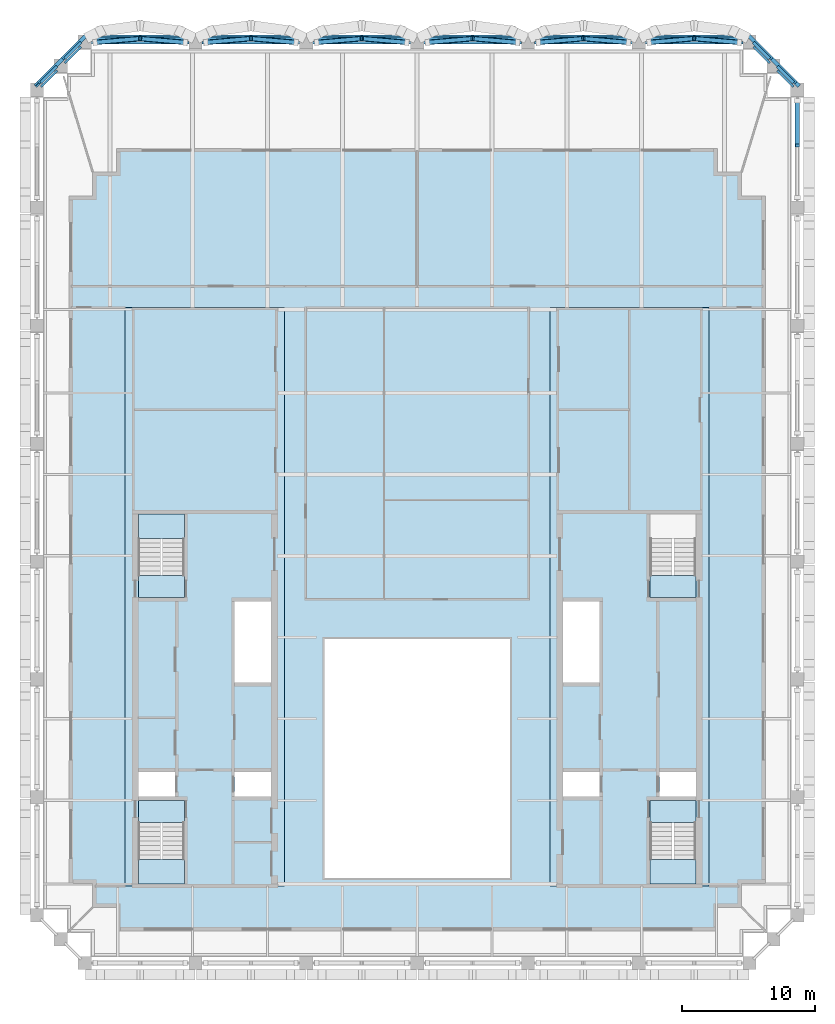
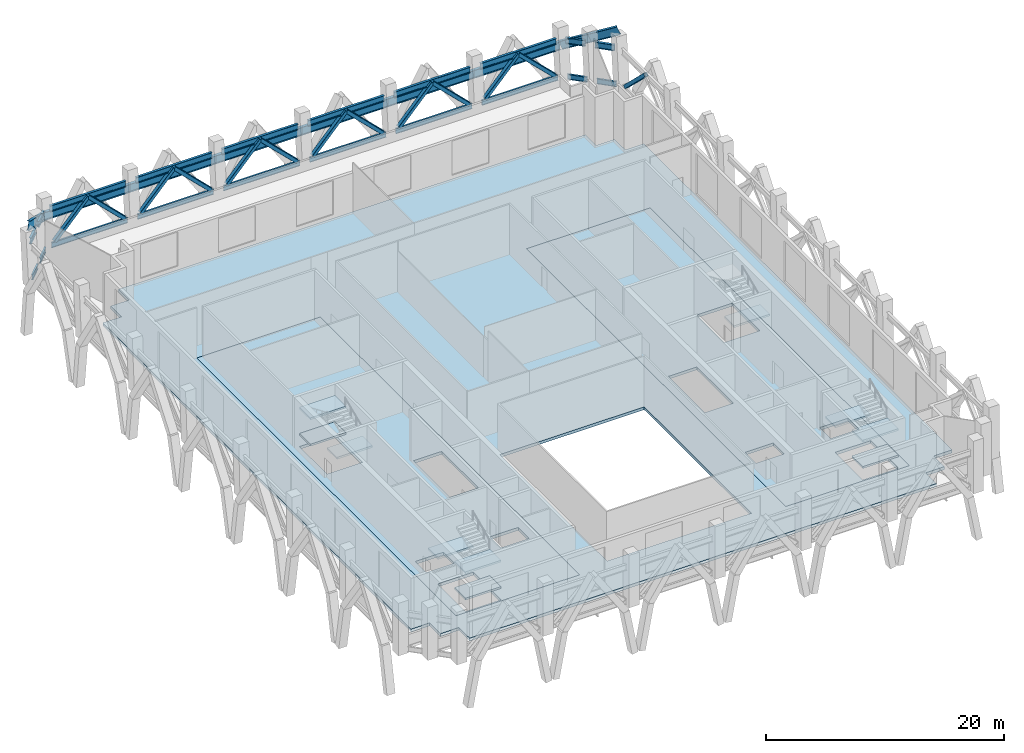
# One storey, part 3 of 13: 30 beams, 13 members, 13 slabs, 4 elements without a shape of their own.
"""IFC4 building model written with IfcOpenShell, lengths in metres."""

import ifcopenshell
import ifcopenshell.guid

model = None  # the IFC model being written
_history = None  # IfcOwnerHistory: only IFC2X3 demands one
_inside = {}  # id of a spatial element -> (the spatial element, [elements in it])
_under = {}  # id of a project, library or spatial element -> (it, [spatial elements below it])
_declared = {}  # id of a project -> (the project, [libraries it declares])
_typed = {}  # id of a type object -> (the type object, [elements of that type])
_made_of = {}  # id of a material, layer set ... -> (it, [elements and type objects made of it])


def new_model(schema):
    """Start an empty IFC model of exactly this schema.

    Asked for "IFC4X3", IfcOpenShell would pick the latest addendum, in which some entities
    have other attributes; the version numbers below select the first issue.
    IFC2X3 requires an IfcOwnerHistory on every rooted entity: one is made here for all.
    """
    global model, _history
    if schema == "IFC4X3":
        model = ifcopenshell.file(schema_version=(4, 3, 0, 0))
    else:
        model = ifcopenshell.file(schema=schema)
    _inside.clear()
    _under.clear()
    _declared.clear()
    _typed.clear()
    _made_of.clear()
    _history = None
    if model.schema == "IFC2X3":
        org = make("IfcOrganization", Name="unknown")
        user = make(
            "IfcPersonAndOrganization",
            ThePerson=make("IfcPerson", FamilyName="unknown"),
            TheOrganization=org,
        )
        app = make(
            "IfcApplication",
            ApplicationDeveloper=org,
            Version="unknown",
            ApplicationFullName="unknown",
            ApplicationIdentifier="unknown",
        )
        _history = make(
            "IfcOwnerHistory",
            OwningUser=user,
            OwningApplication=app,
            ChangeAction="ADDED",
            CreationDate=0,
        )
    return model


def make(cls, **values):
    """One entity of the class cls with the attributes given. An attribute that is None is left unset."""
    return model.create_entity(
        cls, **{name: value for name, value in values.items() if value is not None}
    )


def rooted(cls, **values):
    """An entity with a GlobalId (a new one), such as an element, a storey or a relation."""
    return make(cls, GlobalId=ifcopenshell.guid.new(), OwnerHistory=_history, **values)


def si_unit(unit_type, name, prefix=None):
    """IfcSIUnit, for example si_unit("LENGTHUNIT", "METRE", prefix="MILLI")."""
    return make("IfcSIUnit", UnitType=unit_type, Prefix=prefix, Name=name)


def assignment(units):
    """IfcUnitAssignment: the units of a project."""
    return None if units is None else make("IfcUnitAssignment", Units=units)


def point(xyz):
    """IfcCartesianPoint."""
    return None if xyz is None else make("IfcCartesianPoint", Coordinates=xyz)


def direction(xyz):
    """IfcDirection."""
    return None if xyz is None else make("IfcDirection", DirectionRatios=xyz)


def frame(location, z_axis=None, x_axis=None):
    """IfcAxis2Placement3D, a coordinate frame: its origin and axes. An axis left out is left unset."""
    return make(
        "IfcAxis2Placement3D",
        Location=point(location),
        Axis=direction(z_axis),
        RefDirection=direction(x_axis),
    )


def frame_2d(location, x_axis=None):
    """IfcAxis2Placement2D, a coordinate frame in the plane: its origin and x axis."""
    return make(
        "IfcAxis2Placement2D", Location=point(location), RefDirection=direction(x_axis)
    )


def origin():
    """The frame at (0, 0, 0) with its axes left unset."""
    return frame((0.0, 0.0, 0.0))


def origin_2d():
    """The frame at (0, 0) in the plane with its x axis left unset."""
    return frame_2d((0.0, 0.0))


def place(relative_to, where):
    """IfcLocalPlacement: puts the frame where relative to a parent placement (None: the world)."""
    return make(
        "IfcLocalPlacement", PlacementRelTo=relative_to, RelativePlacement=where
    )


def context(
    kind, dimensions, precision=None, world=None, true_north=None, identifier=None
):
    """IfcGeometricRepresentationContext, for example the 3D "Model" context."""
    return make(
        "IfcGeometricRepresentationContext",
        ContextIdentifier=identifier,
        ContextType=kind,
        CoordinateSpaceDimension=dimensions,
        Precision=precision,
        WorldCoordinateSystem=world,
        TrueNorth=true_north,
    )


def subcontext(parent, identifier, kind, view, scale=None):
    """IfcGeometricRepresentationSubContext, for example "Body" below "Model"."""
    return make(
        "IfcGeometricRepresentationSubContext",
        ContextIdentifier=identifier,
        ContextType=kind,
        ParentContext=parent,
        TargetScale=scale,
        TargetView=view,
    )


def project(units=None, contexts=None):
    """IfcProject with its units and contexts."""
    return rooted(
        "IfcProject",
        Name="project",
        RepresentationContexts=contexts,
        UnitsInContext=assignment(units),
    )


def spatial(cls, under=None, at=None, **own):
    """A site, building, storey or space (cls), placed at a placement, below another one or the project."""
    s = rooted(cls, ObjectPlacement=at, **own)
    if under is not None:
        _under.setdefault(under.id(), (under, []))[1].append(s)
    return s


def polyline(points):
    """IfcPolyline through the points."""
    return make("IfcPolyline", Points=[point(p) for p in points])


def profile(cls, at=None, kind="AREA", **sizes):
    """A parametric profile (cls). Its sizes go by their IFC names, for example OverallWidth=200.0."""
    return make(cls, ProfileType=kind, Position=at, **sizes)


def hollow_rectangle(**sizes):
    """IfcRectangleHollowProfileDef."""
    return profile("IfcRectangleHollowProfileDef", **sizes)


def i_section(**sizes):
    """IfcIShapeProfileDef."""
    return profile("IfcIShapeProfileDef", **sizes)


def outline(outer, holes=None, kind="AREA"):
    """IfcArbitraryClosedProfileDef: a profile drawn as a closed curve; with holes, ...WithVoids."""
    if holes is None:
        return make("IfcArbitraryClosedProfileDef", ProfileType=kind, OuterCurve=outer)
    return make(
        "IfcArbitraryProfileDefWithVoids",
        ProfileType=kind,
        OuterCurve=outer,
        InnerCurves=holes,
    )


def extrude(swept, where, along, depth):
    """IfcExtrudedAreaSolid: the profile swept, set in the frame where, extruded along a direction by depth."""
    return make(
        "IfcExtrudedAreaSolid",
        SweptArea=swept,
        Position=where,
        ExtrudedDirection=direction(along),
        Depth=depth,
    )


def shape(context_of_items, identifier, shape_type, items):
    """IfcShapeRepresentation: the items that make up one representation, for example the "Body"."""
    return make(
        "IfcShapeRepresentation",
        ContextOfItems=context_of_items,
        RepresentationIdentifier=identifier,
        RepresentationType=shape_type,
        Items=items,
    )


def material(Name=None, Category=None):
    """IfcMaterial."""
    return make("IfcMaterial", Name=Name, Category=Category)


def layer(
    of_material, thickness, ventilated=None, Name=None, Category=None, Priority=None
):
    """IfcMaterialLayer: one layer of a wall or slab, of a material (None: an air gap)."""
    return make(
        "IfcMaterialLayer",
        Material=of_material,
        LayerThickness=thickness,
        IsVentilated=ventilated,
        Name=Name,
        Category=Category,
        Priority=Priority,
    )


def layer_set(layers, Name=None):
    """IfcMaterialLayerSet."""
    return make("IfcMaterialLayerSet", MaterialLayers=layers, LayerSetName=Name)


def material_profile(
    of_material, cross_section, Name=None, Category=None, Priority=None
):
    """IfcMaterialProfile: a cross section and its material."""
    return make(
        "IfcMaterialProfile",
        Name=Name,
        Material=of_material,
        Profile=cross_section,
        Priority=Priority,
        Category=Category,
    )


def profile_set(profiles, Name=None, composite=None):
    """IfcMaterialProfileSet."""
    return make(
        "IfcMaterialProfileSet",
        Name=Name,
        MaterialProfiles=profiles,
        CompositeProfile=composite,
    )


def made_of(thing, what):
    """Note that an element or type object is made of a material, layer set ...; save() writes the relation."""
    if what is not None:
        _made_of.setdefault(what.id(), (what, []))[1].append(thing)
    return thing


def type_object(cls, material=None, **own):
    """A type object (cls), such as IfcWallType, which elements share."""
    return made_of(rooted(cls, **own), material)


def element(
    cls,
    number,
    at=None,
    inside=None,
    cuts=None,
    type_object=None,
    material=None,
    context=None,
    identifier="Body",
    shape_type=None,
    held_by="IfcProductDefinitionShape",
    body=None,
    shapes=None,
    **own,
):
    """One element of the class cls, such as IfcWall. Its Tag is "e" and its number.

    at: its placement. inside: the storey or other place that contains it. cuts: it is an
    opening in that element (IfcRelVoidsElement). A single representation is given by context,
    identifier, shape_type and body (its items); several are given by shapes. held_by: the class
    of the entity that holds the representations. save() writes the other relations.
    """
    e = rooted(cls, Tag="e%d" % number, ObjectPlacement=at, **own)
    if body is not None:
        shapes = [shape(context, identifier, shape_type, body)]
    if shapes is not None:
        e.Representation = make(held_by, Representations=shapes)
    if inside is not None:
        _inside.setdefault(inside.id(), (inside, []))[1].append(e)
    if cuts is not None:
        rooted(
            "IfcRelVoidsElement", RelatingBuildingElement=cuts, RelatedOpeningElement=e
        )
    if type_object is not None:
        _typed.setdefault(type_object.id(), (type_object, []))[1].append(e)
    return made_of(e, material)


def aggregate(whole, parts):
    """IfcRelAggregates: a whole, such as a stair, and the parts it consists of."""
    return rooted("IfcRelAggregates", RelatingObject=whole, RelatedObjects=parts)


def save(model, path):
    """Write the relations noted so far, then the file.

    IfcRelAggregates (storeys below a building ...), IfcRelContainedInSpatialStructure (elements
    in a storey), IfcRelDefinesByType, IfcRelAssociatesMaterial and IfcRelDeclares: one each for
    every whole, place, type object, material and project.
    """
    for whole, parts in _under.values():
        aggregate(whole, parts)
    for where, things in _inside.values():
        rooted(
            "IfcRelContainedInSpatialStructure",
            RelatedElements=things,
            RelatingStructure=where,
        )
    for kind, things in _typed.values():
        rooted("IfcRelDefinesByType", RelatedObjects=things, RelatingType=kind)
    for what, things in _made_of.values():
        rooted("IfcRelAssociatesMaterial", RelatedObjects=things, RelatingMaterial=what)
    for by, libraries in _declared.values():
        rooted("IfcRelDeclares", RelatingContext=by, RelatedDefinitions=libraries)
    model.write(path)


model = new_model("IFC4")

# Units and contexts
model_context = context("Model", 3, precision=1e-05, world=origin(), true_north=direction((0.0, 1.0)))
body_context = subcontext(model_context, "Body", "Model", "MODEL_VIEW")
ifc_project = project(units=[si_unit("LENGTHUNIT", "METRE"), si_unit("AREAUNIT", "SQUARE_METRE"), si_unit("VOLUMEUNIT", "CUBIC_METRE"), si_unit("PLANEANGLEUNIT", "RADIAN"), si_unit("MASSUNIT", "GRAM", prefix="KILO")], contexts=[model_context])

# Site, building, storey
site_placement = place(None, origin())
site = spatial("IfcSite", under=ifc_project, at=site_placement, CompositionType="ELEMENT")
building_placement = place(site_placement, origin())
building = spatial("IfcBuilding", under=site, at=building_placement, Name="Ogive Exchange Tower", CompositionType="ELEMENT")
storey_placement = place(building_placement, frame((0.0, 0.0, 363.60009765625)))
storey = spatial("IfcBuildingStorey", under=building, at=storey_placement, Name="L80", CompositionType="ELEMENT", Elevation=363.60009765625)

# Beams
ifc_material_1 = material(Name="Steel ASTM A992 Gr50", Category="steel")
ifc_material_profile_1 = material_profile(ifc_material_1, i_section(OverallWidth=0.1669921875, OverallDepth=0.535888671875, WebThickness=0.01025390625, FlangeThickness=0.0166015625, at=origin_2d()), Name="W530x85")
ifc_profile_set_1 = profile_set([ifc_material_profile_1], Name="Steel ASTM A992 Gr50")
beam_type_1 = type_object("IfcBeamType", Name="Belt truss bottom chord W530x85", PredefinedType="BEAM", material=ifc_profile_set_1)
for number, where, z_axis, x_axis, name in (
    (1, (28.362060546875, 57.63330078125, 0.39990234375), (-0.707036271462, 0.707177283881, 0.0), (-0.707177283881, -0.707036271462, 0.0), "Belt truss bottom chord 16"),
    (2, (26.56201171875, 59.433349609375, 0.39990234375), (-0.707036271462, 0.707177283881, 0.0), (-0.707177283881, -0.707036271462, 0.0), "Belt truss bottom chord 17"),
):
    element("IfcBeam", number, at=place(storey_placement, frame(where, z_axis=z_axis, x_axis=x_axis)), inside=storey, type_object=beam_type_1, Name=name, PredefinedType="BEAM", context=body_context, shape_type="SweptSolid", body=[
        extrude(i_section(OverallWidth=0.1669921875, OverallDepth=0.535888671875, WebThickness=0.01025390625, FlangeThickness=0.0166015625, at=origin_2d()), origin(), (0.0, 0.0, 1.0), 1.7314453125),
    ])
beam_1_placement = place(storey_placement, frame((24.570068359375, 60.945556640625, 0.39990234375), z_axis=(-1.0, 0.0, 0.0), x_axis=(0.0, -1.0, 0.0)))
element("IfcBeam", 3, at=beam_1_placement, inside=storey, type_object=beam_type_1, Name="Belt truss bottom chord 18", PredefinedType="BEAM", context=body_context, shape_type="SweptSolid", body=[
    extrude(i_section(OverallWidth=0.1669921875, OverallDepth=0.535888671875, WebThickness=0.01025390625, FlangeThickness=0.0166015625, at=origin_2d()), origin(), (0.0, 0.0, 1.0), 7.39013671875),
])
beam_2_placement = place(storey_placement, frame((16.219970703125, 60.945556640625, 0.39990234375), z_axis=(-1.0, 0.0, 0.0), x_axis=(0.0, -1.0, 0.0)))
element("IfcBeam", 4, at=beam_2_placement, inside=storey, type_object=beam_type_1, Name="Belt truss bottom chord 19", PredefinedType="BEAM", context=body_context, shape_type="SweptSolid", body=[
    extrude(i_section(OverallWidth=0.1669921875, OverallDepth=0.535888671875, WebThickness=0.01025390625, FlangeThickness=0.0166015625, at=origin_2d()), origin(), (0.0, 0.0, 1.0), 7.389892578125),
])
for number, where, z_axis, x_axis, name in (
    (5, (7.8701171875, 60.945556640625, 0.39990234375), (-1.0, 0.0, 0.0), (0.0, -1.0, 0.0), "Belt truss bottom chord 20"),
    (6, (-0.47998046875, 60.945556640625, 0.39990234375), (-1.0, 0.0, 0.0), (0.0, -1.0, 0.0), "Belt truss bottom chord 21"),
):
    element("IfcBeam", number, at=place(storey_placement, frame(where, z_axis=z_axis, x_axis=x_axis)), inside=storey, type_object=beam_type_1, Name=name, PredefinedType="BEAM", context=body_context, shape_type="SweptSolid", body=[
        extrude(i_section(OverallWidth=0.1669921875, OverallDepth=0.535888671875, WebThickness=0.01025390625, FlangeThickness=0.0166015625, at=origin_2d()), origin(), (0.0, 0.0, 1.0), 7.39013671875),
    ])
beam_3_placement = place(storey_placement, frame((-8.830078125, 60.945556640625, 0.39990234375), z_axis=(-1.0, 0.0, 0.0), x_axis=(0.0, -1.0, 0.0)))
element("IfcBeam", 7, at=beam_3_placement, inside=storey, type_object=beam_type_1, Name="Belt truss bottom chord 22", PredefinedType="BEAM", context=body_context, shape_type="SweptSolid", body=[
    extrude(i_section(OverallWidth=0.1669921875, OverallDepth=0.535888671875, WebThickness=0.01025390625, FlangeThickness=0.0166015625, at=origin_2d()), origin(), (0.0, 0.0, 1.0), 7.389892578125),
])
beam_4_placement = place(storey_placement, frame((-17.179931640625, 60.945556640625, 0.39990234375), z_axis=(-1.0, 0.0, 0.0), x_axis=(0.0, -1.0, 0.0)))
element("IfcBeam", 8, at=beam_4_placement, inside=storey, type_object=beam_type_1, Name="Belt truss bottom chord 23", PredefinedType="BEAM", context=body_context, shape_type="SweptSolid", body=[
    extrude(i_section(OverallWidth=0.1669921875, OverallDepth=0.535888671875, WebThickness=0.01025390625, FlangeThickness=0.0166015625, at=origin_2d()), origin(), (0.0, 0.0, 1.0), 7.39013671875),
])
for number, where, z_axis, x_axis, name in (
    (9, (-25.337890625, 60.65771484375, 0.39990234375), (-0.707036271462, -0.707177283881, 0.0), (0.707177283881, -0.707036271462, 0.0), "Belt truss bottom chord 24"),
    (10, (-27.137939453125, 58.857666015625, 0.39990234375), (-0.707036271462, -0.707177283881, 0.0), (0.707177283881, -0.707036271462, 0.0), "Belt truss bottom chord 25"),
):
    element("IfcBeam", number, at=place(storey_placement, frame(where, z_axis=z_axis, x_axis=x_axis)), inside=storey, type_object=beam_type_1, Name=name, PredefinedType="BEAM", context=body_context, shape_type="SweptSolid", body=[
        extrude(i_section(OverallWidth=0.1669921875, OverallDepth=0.535888671875, WebThickness=0.01025390625, FlangeThickness=0.0166015625, at=origin_2d()), origin(), (0.0, 0.0, 1.0), 1.7314453125),
    ])

# Members
ifc_material_2 = material(Name="Steel ASTM A1085 Gr A", Category="steel")
ifc_material_profile_2 = material_profile(ifc_material_2, hollow_rectangle(XDim=0.35595703125, YDim=0.35595703125, WallThickness=0.015869140625, InnerFilletRadius=0.015869140625, OuterFilletRadius=0.03173828125, at=origin_2d()), Name="HSS355.6x355.6x15.9")
ifc_profile_set_2 = profile_set([ifc_material_profile_2], Name="Steel ASTM A1085 Gr A")
member_type = type_object("IfcMemberType", Name="Belt truss diagonal HSS355.6x355.6x15.9", PredefinedType="BRACE", material=ifc_profile_set_2)
member_placement = place(storey_placement, frame((28.64990234375, 56.57080078125, 0.685302734375), z_axis=(0.0, -0.718377770288, 0.695653203224), x_axis=(1.0, 0.0, 0.0)))
element("IfcMember", 11, at=member_placement, inside=storey, type_object=member_type, Name="Belt truss diagonal 15b", PredefinedType="BRACE", context=body_context, shape_type="SweptSolid", body=[
    extrude(hollow_rectangle(XDim=0.35595703125, YDim=0.35595703125, WallThickness=0.015869140625, InnerFilletRadius=0.015869140625, OuterFilletRadius=0.03173828125, at=origin_2d()), origin(), (0.0, 0.0, 1.0), 4.68408203125),
])
for number, where, z_axis, x_axis, name in (
    (12, (24.272705078125, 60.971435546875, 0.685302734375), (-0.720308552045, 0.062781797344, 0.690806800613), (-0.086830396694, -0.996223108651, 0.0), "Belt truss diagonal 18a"),
    (13, (17.477294921875, 60.971435546875, 0.685302734375), (0.720308552045, 0.062781797344, 0.690806800613), (-0.086830396694, 0.996223108651, 0.0), "Belt truss diagonal 18b"),
    (14, (15.922607421875, 60.971435546875, 0.685302734375), (-0.720308552045, 0.062781797344, 0.690806800613), (-0.086830396694, -0.996223108651, 0.0), "Belt truss diagonal 19a"),
):
    element("IfcMember", number, at=place(storey_placement, frame(where, z_axis=z_axis, x_axis=x_axis)), inside=storey, type_object=member_type, Name=name, PredefinedType="BRACE", context=body_context, shape_type="SweptSolid", body=[
        extrude(hollow_rectangle(XDim=0.35595703125, YDim=0.35595703125, WallThickness=0.015869140625, InnerFilletRadius=0.015869140625, OuterFilletRadius=0.03173828125, at=origin_2d()), origin(), (0.0, 0.0, 1.0), 4.717041015625),
    ])
for number, where, z_axis, x_axis, name in (
    (15, (9.12744140625, 60.971435546875, 0.685302734375), (0.720283647261, 0.06278413798, 0.690832555332), (-0.086836589254, 0.99622256889, 0.0), "Belt truss diagonal 19b"),
    (16, (7.572509765625, 60.971435546875, 0.685302734375), (-0.720283647261, 0.06278413798, 0.690832555332), (-0.086836589254, -0.99622256889, 0.0), "Belt truss diagonal 20a"),
):
    element("IfcMember", number, at=place(storey_placement, frame(where, z_axis=z_axis, x_axis=x_axis)), inside=storey, type_object=member_type, Name=name, PredefinedType="BRACE", context=body_context, shape_type="SweptSolid", body=[
        extrude(hollow_rectangle(XDim=0.35595703125, YDim=0.35595703125, WallThickness=0.015869140625, InnerFilletRadius=0.015869140625, OuterFilletRadius=0.03173828125, at=origin_2d()), origin(), (0.0, 0.0, 1.0), 4.716796875),
    ])
for number, where, z_axis, x_axis, name in (
    (17, (0.77734375, 60.971435546875, 0.685302734375), (0.720308552045, 0.062781797344, 0.690806800613), (-0.086830396694, 0.996223108651, 0.0), "Belt truss diagonal 20b"),
    (18, (-0.77734375, 60.971435546875, 0.685302734375), (-0.720308552045, 0.062781797344, 0.690806800613), (-0.086830396694, -0.996223108651, 0.0), "Belt truss diagonal 21a"),
):
    element("IfcMember", number, at=place(storey_placement, frame(where, z_axis=z_axis, x_axis=x_axis)), inside=storey, type_object=member_type, Name=name, PredefinedType="BRACE", context=body_context, shape_type="SweptSolid", body=[
        extrude(hollow_rectangle(XDim=0.35595703125, YDim=0.35595703125, WallThickness=0.015869140625, InnerFilletRadius=0.015869140625, OuterFilletRadius=0.03173828125, at=origin_2d()), origin(), (0.0, 0.0, 1.0), 4.717041015625),
    ])
for number, where, z_axis, x_axis, name in (
    (19, (-7.572509765625, 60.971435546875, 0.685302734375), (0.720283647261, 0.06278413798, 0.690832555332), (-0.086836589254, 0.99622256889, 0.0), "Belt truss diagonal 21b"),
    (20, (-9.12744140625, 60.971435546875, 0.685302734375), (-0.720283647261, 0.06278413798, 0.690832555332), (-0.086836589254, -0.99622256889, 0.0), "Belt truss diagonal 22a"),
):
    element("IfcMember", number, at=place(storey_placement, frame(where, z_axis=z_axis, x_axis=x_axis)), inside=storey, type_object=member_type, Name=name, PredefinedType="BRACE", context=body_context, shape_type="SweptSolid", body=[
        extrude(hollow_rectangle(XDim=0.35595703125, YDim=0.35595703125, WallThickness=0.015869140625, InnerFilletRadius=0.015869140625, OuterFilletRadius=0.03173828125, at=origin_2d()), origin(), (0.0, 0.0, 1.0), 4.716796875),
    ])
for number, where, z_axis, x_axis, name in (
    (21, (-15.922607421875, 60.971435546875, 0.685302734375), (0.720308552045, 0.062781797344, 0.690806800613), (-0.086830396694, 0.996223108651, 0.0), "Belt truss diagonal 22b"),
    (22, (-17.477294921875, 60.971435546875, 0.685302734375), (-0.720308552045, 0.062781797344, 0.690806800613), (-0.086830396694, -0.996223108651, 0.0), "Belt truss diagonal 23a"),
    (23, (-24.272705078125, 60.971435546875, 0.685302734375), (0.720308552045, 0.062781797344, 0.690806800613), (-0.086830396694, 0.996223108651, 0.0), "Belt truss diagonal 23b"),
):
    element("IfcMember", number, at=place(storey_placement, frame(where, z_axis=z_axis, x_axis=x_axis)), inside=storey, type_object=member_type, Name=name, PredefinedType="BRACE", context=body_context, shape_type="SweptSolid", body=[
        extrude(hollow_rectangle(XDim=0.35595703125, YDim=0.35595703125, WallThickness=0.015869140625, InnerFilletRadius=0.015869140625, OuterFilletRadius=0.03173828125, at=origin_2d()), origin(), (0.0, 0.0, 1.0), 4.717041015625),
    ])

# Beams
ifc_material_profile_3 = material_profile(ifc_material_1, i_section(OverallWidth=0.22900390625, OverallDepth=0.612060546875, WebThickness=0.011962890625, FlangeThickness=0.01953125, at=origin_2d()), Name="W610x125")
ifc_profile_set_3 = profile_set([ifc_material_profile_3], Name="Steel ASTM A992 Gr50")
beam_type_2 = type_object("IfcBeamType", Name="Belt truss top chord W610x125", PredefinedType="BEAM", material=ifc_profile_set_3)
for number, where, z_axis, x_axis, name in (
    (24, (28.362060546875, 57.95556640625, 3.94384765625), (-0.707106781187, 0.707106781187, 0.0), (-0.707106781187, -0.707106781187, 0.0), "Belt truss top chord 16"),
    (25, (26.56201171875, 59.755615234375, 3.94384765625), (-0.707106781187, 0.707106781187, 0.0), (-0.707106781187, -0.707106781187, 0.0), "Belt truss top chord 17"),
):
    element("IfcBeam", number, at=place(storey_placement, frame(where, z_axis=z_axis, x_axis=x_axis)), inside=storey, type_object=beam_type_2, Name=name, PredefinedType="BEAM", context=body_context, shape_type="SweptSolid", body=[
        extrude(i_section(OverallWidth=0.22900390625, OverallDepth=0.612060546875, WebThickness=0.011962890625, FlangeThickness=0.01953125, at=origin_2d()), origin(), (0.0, 0.0, 1.0), 1.731201171875),
    ])
beam_5_placement = place(storey_placement, frame((24.570068359375, 61.267578125, 3.94384765625), z_axis=(-1.0, 0.0, 0.0), x_axis=(0.0, -1.0, 0.0)))
element("IfcBeam", 26, at=beam_5_placement, inside=storey, type_object=beam_type_2, Name="Belt truss top chord 18", PredefinedType="BEAM", context=body_context, shape_type="SweptSolid", body=[
    extrude(i_section(OverallWidth=0.22900390625, OverallDepth=0.612060546875, WebThickness=0.011962890625, FlangeThickness=0.01953125, at=origin_2d()), origin(), (0.0, 0.0, 1.0), 7.39013671875),
])
beam_6_placement = place(storey_placement, frame((16.219970703125, 61.267578125, 3.94384765625), z_axis=(-1.0, 0.0, 0.0), x_axis=(0.0, -1.0, 0.0)))
element("IfcBeam", 27, at=beam_6_placement, inside=storey, type_object=beam_type_2, Name="Belt truss top chord 19", PredefinedType="BEAM", context=body_context, shape_type="SweptSolid", body=[
    extrude(i_section(OverallWidth=0.22900390625, OverallDepth=0.612060546875, WebThickness=0.011962890625, FlangeThickness=0.01953125, at=origin_2d()), origin(), (0.0, 0.0, 1.0), 7.389892578125),
])
for number, where, z_axis, x_axis, name in (
    (28, (7.8701171875, 61.267578125, 3.94384765625), (-1.0, 0.0, 0.0), (0.0, -1.0, 0.0), "Belt truss top chord 20"),
    (29, (-0.47998046875, 61.267578125, 3.94384765625), (-1.0, 0.0, 0.0), (0.0, -1.0, 0.0), "Belt truss top chord 21"),
):
    element("IfcBeam", number, at=place(storey_placement, frame(where, z_axis=z_axis, x_axis=x_axis)), inside=storey, type_object=beam_type_2, Name=name, PredefinedType="BEAM", context=body_context, shape_type="SweptSolid", body=[
        extrude(i_section(OverallWidth=0.22900390625, OverallDepth=0.612060546875, WebThickness=0.011962890625, FlangeThickness=0.01953125, at=origin_2d()), origin(), (0.0, 0.0, 1.0), 7.39013671875),
    ])
beam_7_placement = place(storey_placement, frame((-8.830078125, 61.267578125, 3.94384765625), z_axis=(-1.0, 0.0, 0.0), x_axis=(0.0, -1.0, 0.0)))
element("IfcBeam", 30, at=beam_7_placement, inside=storey, type_object=beam_type_2, Name="Belt truss top chord 22", PredefinedType="BEAM", context=body_context, shape_type="SweptSolid", body=[
    extrude(i_section(OverallWidth=0.22900390625, OverallDepth=0.612060546875, WebThickness=0.011962890625, FlangeThickness=0.01953125, at=origin_2d()), origin(), (0.0, 0.0, 1.0), 7.389892578125),
])
beam_8_placement = place(storey_placement, frame((-17.179931640625, 61.267578125, 3.94384765625), z_axis=(-1.0, 0.0, 0.0), x_axis=(0.0, -1.0, 0.0)))
element("IfcBeam", 31, at=beam_8_placement, inside=storey, type_object=beam_type_2, Name="Belt truss top chord 23", PredefinedType="BEAM", context=body_context, shape_type="SweptSolid", body=[
    extrude(i_section(OverallWidth=0.22900390625, OverallDepth=0.612060546875, WebThickness=0.011962890625, FlangeThickness=0.01953125, at=origin_2d()), origin(), (0.0, 0.0, 1.0), 7.39013671875),
])
for number, where, z_axis, x_axis, name in (
    (32, (-25.337890625, 60.979736328125, 3.94384765625), (-0.707106781187, -0.707106781187, 0.0), (0.707106781187, -0.707106781187, 0.0), "Belt truss top chord 24"),
    (33, (-27.137939453125, 59.1796875, 3.94384765625), (-0.707106781187, -0.707106781187, 0.0), (0.707106781187, -0.707106781187, 0.0), "Belt truss top chord 25"),
):
    element("IfcBeam", number, at=place(storey_placement, frame(where, z_axis=z_axis, x_axis=x_axis)), inside=storey, type_object=beam_type_2, Name=name, PredefinedType="BEAM", context=body_context, shape_type="SweptSolid", body=[
        extrude(i_section(OverallWidth=0.22900390625, OverallDepth=0.612060546875, WebThickness=0.011962890625, FlangeThickness=0.01953125, at=origin_2d()), origin(), (0.0, 0.0, 1.0), 1.731201171875),
    ])
ifc_material_profile_4 = material_profile(ifc_material_1, i_section(OverallWidth=0.2919921875, OverallDepth=0.8359375, WebThickness=0.013916015625, FlangeThickness=0.018798828125, at=origin_2d()), Name="W840x176")
ifc_profile_set_4 = profile_set([ifc_material_profile_4], Name="Steel ASTM A992 Gr50")
beam_type_3 = type_object("IfcBeamType", Name="Crown raking ring beam W840x176", PredefinedType="BEAM", material=ifc_profile_set_4)
beam_9_placement = place(storey_placement, frame((28.64990234375, 57.800048828125, 5.704833984375), z_axis=(-0.638111549801, 0.638198108611, -0.430716640235), x_axis=(-0.707154735259, -0.707058823862, 0.0)))
element("IfcBeam", 34, at=beam_9_placement, inside=storey, type_object=beam_type_3, Name="Crown ring beam 16", PredefinedType="BEAM", context=body_context, shape_type="SweptSolid", body=[
    extrude(i_section(OverallWidth=0.2919921875, OverallDepth=0.8359375, WebThickness=0.013916015625, FlangeThickness=0.018798828125, at=origin_2d()), origin(), (0.0, 0.0, 1.0), 2.820556640625),
])
for number, where, z_axis, x_axis, name in (
    (35, (26.85009765625, 59.60009765625, 4.489990234375), (-0.638269479583, 0.638182911092, -0.430505102667), (-0.707058823862, -0.707154735259, 0.0), "Crown ring beam 17"),
    (36, (-25.050048828125, 61.39990234375, 3.27587890625), (-0.638269479583, -0.638182911092, 0.430505102667), (0.707058823862, -0.707154735259, 0.0), "Crown ring beam 24"),
):
    element("IfcBeam", number, at=place(storey_placement, frame(where, z_axis=z_axis, x_axis=x_axis)), inside=storey, type_object=beam_type_3, Name=name, PredefinedType="BEAM", context=body_context, shape_type="SweptSolid", body=[
        extrude(i_section(OverallWidth=0.2919921875, OverallDepth=0.8359375, WebThickness=0.013916015625, FlangeThickness=0.018798828125, at=origin_2d()), origin(), (0.0, 0.0, 1.0), 2.8203125),
    ])
beam_10_placement = place(storey_placement, frame((-26.85009765625, 59.60009765625, 4.489990234375), z_axis=(-0.638111549801, -0.638198108611, 0.430716640235), x_axis=(0.707154735259, -0.707058823862, 0.0)))
element("IfcBeam", 37, at=beam_10_placement, inside=storey, type_object=beam_type_3, Name="Crown ring beam 25", PredefinedType="BEAM", context=body_context, shape_type="SweptSolid", body=[
    extrude(i_section(OverallWidth=0.2919921875, OverallDepth=0.8359375, WebThickness=0.013916015625, FlangeThickness=0.018798828125, at=origin_2d()), origin(), (0.0, 0.0, 1.0), 2.820556640625),
])
ifc_material_profile_5 = material_profile(ifc_material_1, i_section(OverallWidth=0.2919921875, OverallDepth=0.8359375, WebThickness=0.013916015625, FlangeThickness=0.018798828125, at=origin_2d()), Name="W840x176")
ifc_profile_set_5 = profile_set([ifc_material_profile_5], Name="Steel ASTM A992 Gr50")
beam_type_4 = type_object("IfcBeamType", Name="Crown ring beam W840x176", PredefinedType="BEAM", material=ifc_profile_set_5)
beam_11_placement = place(storey_placement, frame((25.050048828125, 61.39990234375, 3.27587890625), z_axis=(-1.0, 0.0, 0.0), x_axis=(0.0, -1.0, 0.0)))
element("IfcBeam", 38, at=beam_11_placement, inside=storey, type_object=beam_type_4, Name="Crown ring beam 18", PredefinedType="BEAM", context=body_context, shape_type="SweptSolid", body=[
    extrude(i_section(OverallWidth=0.2919921875, OverallDepth=0.8359375, WebThickness=0.013916015625, FlangeThickness=0.018798828125, at=origin_2d()), origin(), (0.0, 0.0, 1.0), 8.35009765625),
])
beam_12_placement = place(storey_placement, frame((16.699951171875, 61.39990234375, 3.27587890625), z_axis=(-1.0, 0.0, 0.0), x_axis=(0.0, -1.0, 0.0)))
element("IfcBeam", 39, at=beam_12_placement, inside=storey, type_object=beam_type_4, Name="Crown ring beam 19", PredefinedType="BEAM", context=body_context, shape_type="SweptSolid", body=[
    extrude(i_section(OverallWidth=0.2919921875, OverallDepth=0.8359375, WebThickness=0.013916015625, FlangeThickness=0.018798828125, at=origin_2d()), origin(), (0.0, 0.0, 1.0), 8.349853515625),
])
for number, where, z_axis, x_axis, name in (
    (40, (8.35009765625, 61.39990234375, 3.27587890625), (-1.0, 0.0, 0.0), (0.0, -1.0, 0.0), "Crown ring beam 20"),
    (41, (0.0, 61.39990234375, 3.27587890625), (-1.0, 0.0, 0.0), (0.0, -1.0, 0.0), "Crown ring beam 21"),
):
    element("IfcBeam", number, at=place(storey_placement, frame(where, z_axis=z_axis, x_axis=x_axis)), inside=storey, type_object=beam_type_4, Name=name, PredefinedType="BEAM", context=body_context, shape_type="SweptSolid", body=[
        extrude(i_section(OverallWidth=0.2919921875, OverallDepth=0.8359375, WebThickness=0.013916015625, FlangeThickness=0.018798828125, at=origin_2d()), origin(), (0.0, 0.0, 1.0), 8.35009765625),
    ])
beam_13_placement = place(storey_placement, frame((-8.35009765625, 61.39990234375, 3.27587890625), z_axis=(-1.0, 0.0, 0.0), x_axis=(0.0, -1.0, 0.0)))
element("IfcBeam", 42, at=beam_13_placement, inside=storey, type_object=beam_type_4, Name="Crown ring beam 22", PredefinedType="BEAM", context=body_context, shape_type="SweptSolid", body=[
    extrude(i_section(OverallWidth=0.2919921875, OverallDepth=0.8359375, WebThickness=0.013916015625, FlangeThickness=0.018798828125, at=origin_2d()), origin(), (0.0, 0.0, 1.0), 8.349853515625),
])
beam_14_placement = place(storey_placement, frame((-16.699951171875, 61.39990234375, 3.27587890625), z_axis=(-1.0, 0.0, 0.0), x_axis=(0.0, -1.0, 0.0)))
element("IfcBeam", 43, at=beam_14_placement, inside=storey, type_object=beam_type_4, Name="Crown ring beam 23", PredefinedType="BEAM", context=body_context, shape_type="SweptSolid", body=[
    extrude(i_section(OverallWidth=0.2919921875, OverallDepth=0.8359375, WebThickness=0.013916015625, FlangeThickness=0.018798828125, at=origin_2d()), origin(), (0.0, 0.0, 1.0), 8.35009765625),
])

# Slabs
ifc_material_3 = material(Name="Concrete C50/60", Category="concrete")
ifc_layer_1 = layer(ifc_material_3, 0.300048828125)
ifc_layer_set_1 = layer_set([ifc_layer_1], Name="Composite floor slab 300")
slab_type_1 = type_object("IfcSlabType", Name="Composite floor slab 300", PredefinedType="FLOOR", material=ifc_layer_set_1)
slab_1_placement = place(storey_placement, frame((0.0, 0.0, -0.300048828125)))
element("IfcSlab", 44, at=slab_1_placement, inside=storey, type_object=slab_type_1, Name="Composite floor slab", PredefinedType="FLOOR", context=body_context, shape_type="SweptSolid", body=[
    extrude(outline(polyline([(-22.64990234375, -4.199951171875), (-24.449951171875, -4.199951171875), (-24.449951171875, -2.39990234375), (-26.25, -2.39990234375), (-26.25, 49.39990234375), (-24.449951171875, 49.39990234375), (-24.449951171875, 51.199951171875), (-22.64990234375, 51.199951171875), (-22.64990234375, 53.0), (22.64990234375, 53.0), (22.64990234375, 51.199951171875), (24.449951171875, 51.199951171875), (24.449951171875, 49.39990234375), (26.25, 49.39990234375), (26.25, -2.39990234375), (24.449951171875, -2.39990234375), (24.449951171875, -4.199951171875), (22.64990234375, -4.199951171875), (22.64990234375, -6.0), (-22.64990234375, -6.0), (-22.64990234375, -4.199951171875)]), holes=[polyline([(7.0, -2.0), (7.0, 16.0), (-7.0, 16.0), (-7.0, -2.0), (7.0, -2.0)]), polyline([(-22.0, -2.60009765625), (-10.0, -2.60009765625), (-10.0, 41.0), (-22.0, 41.0), (-22.0, -2.60009765625)]), polyline([(10.0, -2.60009765625), (22.0, -2.60009765625), (22.0, 41.0), (10.0, 41.0), (10.0, -2.60009765625)])]), origin(), (0.0, 0.0, 1.0), 0.300048828125),
])
ifc_material_4 = material(Name="Concrete C70/85", Category="concrete")
ifc_layer_2 = layer(ifc_material_4, 0.300048828125)
ifc_layer_set_2 = layer_set([ifc_layer_2], Name="Core floor slab 300")
slab_type_2 = type_object("IfcSlabType", Name="Core floor slab 300", PredefinedType="FLOOR", material=ifc_layer_set_2)
slab_2_placement = place(storey_placement, frame((0.0, 0.0, -0.300048828125)))
element("IfcSlab", 45, at=slab_2_placement, inside=storey, type_object=slab_type_2, Name="Core floor slab", PredefinedType="FLOOR", context=body_context, shape_type="SweptSolid", body=[
    extrude(outline(polyline([(-22.0, -2.60009765625), (-22.0, 41.0), (-10.0, 41.0), (-10.0, -2.60009765625), (-22.0, -2.60009765625)]), holes=[polyline([(-17.550048828125, 2.196044921875), (-21.0, 2.196044921875), (-21.0, -2.449951171875), (-17.550048828125, -2.449951171875), (-17.550048828125, 2.196044921875)]), polyline([(-21.0, 5.992919921875), (-21.0, 4.14990234375), (-18.25, 4.14990234375), (-18.25, 5.992919921875), (-21.0, 5.992919921875)]), polyline([(-13.75, 5.992919921875), (-13.75, 4.14990234375), (-11.0, 4.14990234375), (-11.0, 5.992919921875), (-13.75, 5.992919921875)]), polyline([(-11.0, 18.85009765625), (-13.75, 18.85009765625), (-13.75, 12.721435546875), (-11.0, 12.721435546875), (-11.0, 18.85009765625)]), polyline([(-21.0, 25.449951171875), (-21.0, 20.803955078125), (-17.550048828125, 20.803955078125), (-17.550048828125, 25.449951171875), (-21.0, 25.449951171875)])]), origin(), (0.0, 0.0, 1.0), 0.300048828125),
])
slab_3_placement = place(storey_placement, frame((0.0, 0.0, -0.300048828125)))
element("IfcSlab", 46, at=slab_3_placement, inside=storey, type_object=slab_type_2, Name="Core floor slab", PredefinedType="FLOOR", context=body_context, shape_type="SweptSolid", body=[
    extrude(outline(polyline([(10.0, -2.60009765625), (10.0, 41.0), (22.0, 41.0), (22.0, -2.60009765625), (10.0, -2.60009765625)]), holes=[polyline([(21.0, 2.196044921875), (17.550048828125, 2.196044921875), (17.550048828125, -2.449951171875), (21.0, -2.449951171875), (21.0, 2.196044921875)]), polyline([(11.0, 5.992919921875), (11.0, 4.14990234375), (13.75, 4.14990234375), (13.75, 5.992919921875), (11.0, 5.992919921875)]), polyline([(18.25, 5.992919921875), (18.25, 4.14990234375), (21.0, 4.14990234375), (21.0, 5.992919921875), (18.25, 5.992919921875)]), polyline([(13.75, 18.85009765625), (11.0, 18.85009765625), (11.0, 12.721435546875), (13.75, 12.721435546875), (13.75, 18.85009765625)]), polyline([(17.550048828125, 25.449951171875), (17.550048828125, 20.803955078125), (21.0, 20.803955078125), (21.0, 25.449951171875), (17.550048828125, 25.449951171875)])]), origin(), (0.0, 0.0, 1.0), 0.300048828125),
])

# Stair, slabs
ifc_material_5 = material(Name="Concrete C40/50", Category="concrete")
stair_type = type_object("IfcStairType", Name="Exit stair 1650 wide", PredefinedType="HALF_TURN_STAIR", material=ifc_material_5)
stair_1_placement = place(storey_placement, origin())
stair_1 = element("IfcStair", 47, at=stair_1_placement, inside=storey, type_object=stair_type, Name="L80 exit stair ST1", PredefinedType="HALF_TURN_STAIR")
ifc_layer_3 = layer(ifc_material_5, 0.199951171875)
ifc_layer_set_3 = layer_set([ifc_layer_3], Name="Stair landing 200 slab")
slab_type_3 = type_object("IfcSlabType", Name="Stair landing 200 slab", PredefinedType="LANDING", material=ifc_layer_set_3)
slab_4_placement = place(storey_placement, frame((0.0, 0.0, 1.14990234375)))
slab_4 = element("IfcSlab", 48, at=slab_4_placement, type_object=slab_type_3, Name="ST1 landing 1", PredefinedType="LANDING", context=body_context, shape_type="SweptSolid", body=[
    extrude(outline(polyline([(-21.0, -0.60791015625), (-21.0, -2.449951171875), (-17.550048828125, -2.449951171875), (-17.550048828125, -0.60791015625), (-21.0, -0.60791015625)])), origin(), (0.0, 0.0, 1.0), 0.199951171875),
])
slab_5_placement = place(storey_placement, frame((0.0, 0.0, 2.5)))
slab_5 = element("IfcSlab", 49, at=slab_5_placement, type_object=slab_type_3, Name="ST1 landing 2", PredefinedType="LANDING", context=body_context, shape_type="SweptSolid", body=[
    extrude(outline(polyline([(-21.0, 3.85009765625), (-21.0, 2.199951171875), (-17.550048828125, 2.199951171875), (-17.550048828125, 3.85009765625), (-21.0, 3.85009765625)])), origin(), (0.0, 0.0, 1.0), 0.199951171875),
])
slab_6_placement = place(storey_placement, frame((0.0, 0.0, 3.849853515625)))
slab_6 = element("IfcSlab", 50, at=slab_6_placement, type_object=slab_type_3, Name="ST1 landing 3", PredefinedType="LANDING", context=body_context, shape_type="SweptSolid", body=[
    extrude(outline(polyline([(-21.0, -0.60791015625), (-21.0, -2.449951171875), (-17.550048828125, -2.449951171875), (-17.550048828125, -0.60791015625), (-21.0, -0.60791015625)])), origin(), (0.0, 0.0, 1.0), 0.199951171875),
])
aggregate(stair_1, [slab_4, slab_5, slab_6])

stair_2_placement = place(storey_placement, origin())
stair_2 = element("IfcStair", 51, at=stair_2_placement, inside=storey, type_object=stair_type, Name="L80 exit stair ST2", PredefinedType="HALF_TURN_STAIR")
slab_7_placement = place(storey_placement, frame((0.0, 0.0, 1.14990234375)))
slab_7 = element("IfcSlab", 52, at=slab_7_placement, type_object=slab_type_3, Name="ST2 landing 1", PredefinedType="LANDING", context=body_context, shape_type="SweptSolid", body=[
    extrude(outline(polyline([(-17.550048828125, 23.60791015625), (-17.550048828125, 25.449951171875), (-21.0, 25.449951171875), (-21.0, 23.60791015625), (-17.550048828125, 23.60791015625)])), origin(), (0.0, 0.0, 1.0), 0.199951171875),
])
slab_8_placement = place(storey_placement, frame((0.0, 0.0, 2.5)))
slab_8 = element("IfcSlab", 53, at=slab_8_placement, type_object=slab_type_3, Name="ST2 landing 2", PredefinedType="LANDING", context=body_context, shape_type="SweptSolid", body=[
    extrude(outline(polyline([(-17.550048828125, 19.14990234375), (-17.550048828125, 20.800048828125), (-21.0, 20.800048828125), (-21.0, 19.14990234375), (-17.550048828125, 19.14990234375)])), origin(), (0.0, 0.0, 1.0), 0.199951171875),
])
slab_9_placement = place(storey_placement, frame((0.0, 0.0, 3.849853515625)))
slab_9 = element("IfcSlab", 54, at=slab_9_placement, type_object=slab_type_3, Name="ST2 landing 3", PredefinedType="LANDING", context=body_context, shape_type="SweptSolid", body=[
    extrude(outline(polyline([(-17.550048828125, 23.60791015625), (-17.550048828125, 25.449951171875), (-21.0, 25.449951171875), (-21.0, 23.60791015625), (-17.550048828125, 23.60791015625)])), origin(), (0.0, 0.0, 1.0), 0.199951171875),
])
aggregate(stair_2, [slab_7, slab_8, slab_9])

stair_3_placement = place(storey_placement, origin())
stair_3 = element("IfcStair", 55, at=stair_3_placement, inside=storey, type_object=stair_type, Name="L80 exit stair ST3", PredefinedType="HALF_TURN_STAIR")
slab_10_placement = place(storey_placement, frame((0.0, 0.0, 1.14990234375)))
slab_10 = element("IfcSlab", 56, at=slab_10_placement, type_object=slab_type_3, Name="ST3 landing 1", PredefinedType="LANDING", context=body_context, shape_type="SweptSolid", body=[
    extrude(outline(polyline([(17.550048828125, -0.60791015625), (17.550048828125, -2.449951171875), (21.0, -2.449951171875), (21.0, -0.60791015625), (17.550048828125, -0.60791015625)])), origin(), (0.0, 0.0, 1.0), 0.199951171875),
])
slab_11_placement = place(storey_placement, frame((0.0, 0.0, 2.5)))
slab_11 = element("IfcSlab", 57, at=slab_11_placement, type_object=slab_type_3, Name="ST3 landing 2", PredefinedType="LANDING", context=body_context, shape_type="SweptSolid", body=[
    extrude(outline(polyline([(17.550048828125, 3.85009765625), (17.550048828125, 2.199951171875), (21.0, 2.199951171875), (21.0, 3.85009765625), (17.550048828125, 3.85009765625)])), origin(), (0.0, 0.0, 1.0), 0.199951171875),
])
slab_12_placement = place(storey_placement, frame((0.0, 0.0, 3.849853515625)))
slab_12 = element("IfcSlab", 58, at=slab_12_placement, type_object=slab_type_3, Name="ST3 landing 3", PredefinedType="LANDING", context=body_context, shape_type="SweptSolid", body=[
    extrude(outline(polyline([(17.550048828125, -0.60791015625), (17.550048828125, -2.449951171875), (21.0, -2.449951171875), (21.0, -0.60791015625), (17.550048828125, -0.60791015625)])), origin(), (0.0, 0.0, 1.0), 0.199951171875),
])
aggregate(stair_3, [slab_10, slab_11, slab_12])

# Stair, slab
stair_4_placement = place(storey_placement, origin())
stair_4 = element("IfcStair", 59, at=stair_4_placement, inside=storey, type_object=stair_type, Name="L80 exit stair ST4", PredefinedType="HALF_TURN_STAIR")
slab_13_placement = place(storey_placement, frame((0.0, 0.0, 2.5)))
slab_13 = element("IfcSlab", 60, at=slab_13_placement, type_object=slab_type_3, Name="ST4 landing 2", PredefinedType="LANDING", context=body_context, shape_type="SweptSolid", body=[
    extrude(outline(polyline([(21.0, 19.14990234375), (21.0, 20.800048828125), (17.550048828125, 20.800048828125), (17.550048828125, 19.14990234375), (21.0, 19.14990234375)])), origin(), (0.0, 0.0, 1.0), 0.199951171875),
])
aggregate(stair_4, [slab_13])

save(model, "model.ifc")
